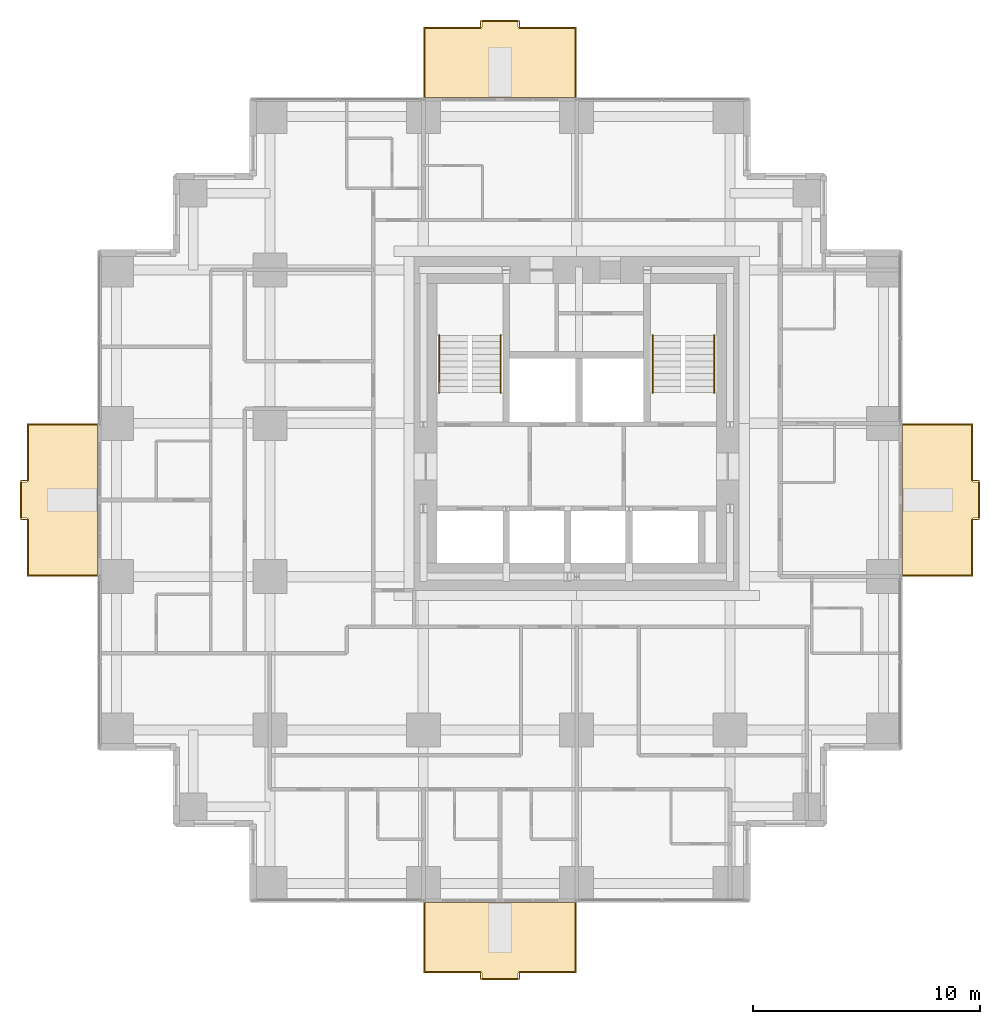
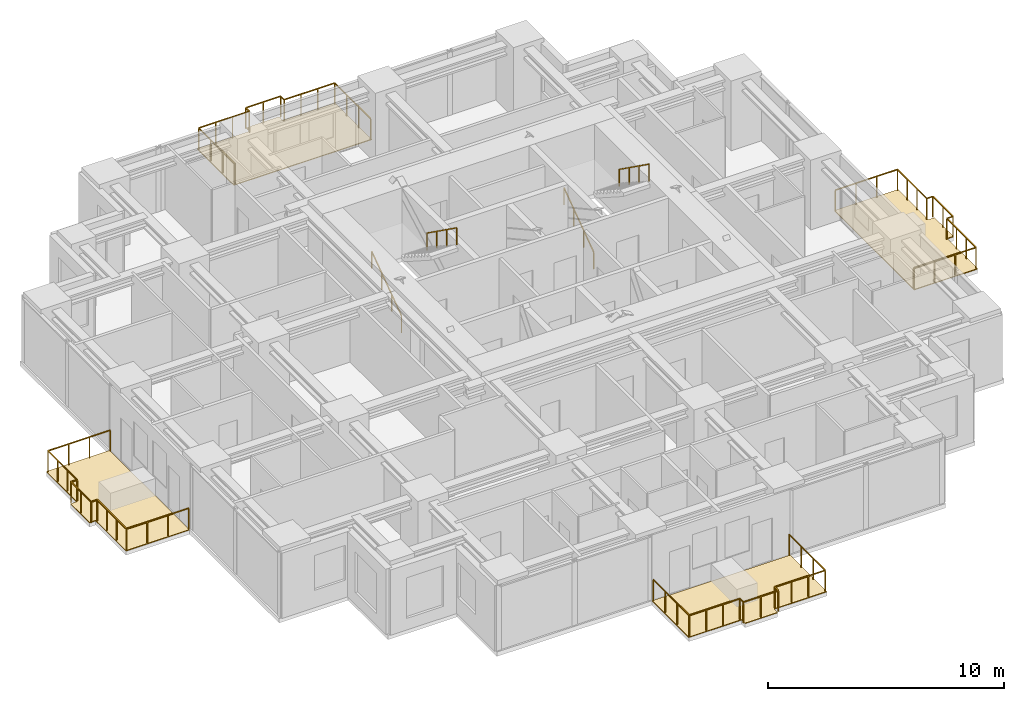
# One storey, part 10 of 10: 8 railings, 4 coverings.
"""IFC4 building model written with IfcOpenShell, lengths in metres."""

from ifc_helpers import new_model, si_unit, direction, frame, origin, origin_2d, place, context, subcontext, project, spatial, polyline, rectangle, outline, extrude, material, layer, layer_set, type_object, element, save


model = new_model("IFC4")

# Units and contexts
model_context = context("Model", 3, precision=1e-05, world=origin(), true_north=direction((0.0, 1.0)))
body_context = subcontext(model_context, "Body", "Model", "MODEL_VIEW")
ifc_project = project(units=[si_unit("LENGTHUNIT", "METRE"), si_unit("AREAUNIT", "SQUARE_METRE"), si_unit("VOLUMEUNIT", "CUBIC_METRE"), si_unit("PLANEANGLEUNIT", "RADIAN"), si_unit("MASSUNIT", "GRAM", prefix="KILO")], contexts=[model_context])

# Site, building, storey
site_placement = place(None, origin())
site = spatial("IfcSite", under=ifc_project, at=site_placement, CompositionType="ELEMENT")
building_placement = place(site_placement, origin())
building = spatial("IfcBuilding", under=site, at=building_placement, Name="Nyansa Garden Tower", CompositionType="ELEMENT")
storey_placement = place(building_placement, frame((0.0, 0.0, 149.39990234375)))
storey = spatial("IfcBuildingStorey", under=building, at=storey_placement, Name="L40", CompositionType="ELEMENT", Elevation=149.39990234375)

# Coverings
ifc_material_1 = material(Name="Hardwood decking on pedestals", Category="wood")
ifc_layer = layer(ifc_material_1, 0.0400390625)
ifc_layer_set = layer_set([ifc_layer], Name="Balcony decking DK40")
covering_type = type_object("IfcCoveringType", Name="Balcony decking DK40", PredefinedType="FLOORING", material=ifc_layer_set)
covering_1_placement = place(storey_placement, frame((0.0, 0.0, -0.039794921875)))
element("IfcCovering", 1, at=covering_1_placement, inside=storey, type_object=covering_type, Name="Balcony decking L40", PredefinedType="FLOORING", context=body_context, shape_type="SweptSolid", body=[
    extrude(outline(polyline([(13.5, -0.85009765625), (20.25, -0.85009765625), (20.25, -3.949951171875), (17.675048828125, -3.949951171875), (17.675048828125, -4.25), (16.074951171875, -4.25), (16.074951171875, -3.949951171875), (13.5, -3.949951171875), (13.5, -0.85009765625)])), origin(), (0.0, 0.0, 1.0), 0.039794921875),
])
covering_2_placement = place(storey_placement, frame((0.0, 0.0, -0.039794921875)))
element("IfcCovering", 2, at=covering_2_placement, inside=storey, type_object=covering_type, Name="Balcony decking L40", PredefinedType="FLOORING", context=body_context, shape_type="SweptSolid", body=[
    extrude(outline(polyline([(34.60009765625, 13.5), (34.60009765625, 20.25), (37.699951171875, 20.25), (37.699951171875, 17.675048828125), (38.0, 17.675048828125), (38.0, 16.074951171875), (37.699951171875, 16.074951171875), (37.699951171875, 13.5), (34.60009765625, 13.5)])), origin(), (0.0, 0.0, 1.0), 0.039794921875),
])
covering_3_placement = place(storey_placement, frame((0.0, 0.0, -0.039794921875)))
element("IfcCovering", 3, at=covering_3_placement, inside=storey, type_object=covering_type, Name="Balcony decking L40", PredefinedType="FLOORING", context=body_context, shape_type="SweptSolid", body=[
    extrude(outline(polyline([(13.5, 34.60009765625), (20.25, 34.60009765625), (20.25, 37.699951171875), (17.675048828125, 37.699951171875), (17.675048828125, 38.0), (16.074951171875, 38.0), (16.074951171875, 37.699951171875), (13.5, 37.699951171875), (13.5, 34.60009765625)])), origin(), (0.0, 0.0, 1.0), 0.039794921875),
])
covering_4_placement = place(storey_placement, frame((0.0, 0.0, -0.039794921875)))
element("IfcCovering", 4, at=covering_4_placement, inside=storey, type_object=covering_type, Name="Balcony decking L40", PredefinedType="FLOORING", context=body_context, shape_type="SweptSolid", body=[
    extrude(outline(polyline([(-0.85009765625, 13.5), (-0.85009765625, 20.25), (-3.949951171875, 20.25), (-3.949951171875, 17.675048828125), (-4.25, 17.675048828125), (-4.25, 16.074951171875), (-3.949951171875, 16.074951171875), (-3.949951171875, 13.5), (-0.85009765625, 13.5)])), origin(), (0.0, 0.0, 1.0), 0.039794921875),
])

# Railings
ifc_material_2 = material(Name="Black powder-coated steel balusters, laminated glass infill", Category="steel")
railing_type_1 = type_object("IfcRailingType", Name="Balcony guard G1", PredefinedType="GUARDRAIL", material=ifc_material_2)
railing_1_placement = place(storey_placement, frame((13.550048828125, -0.85009765625, 0.0)))
element("IfcRailing", 5, at=railing_1_placement, inside=storey, type_object=railing_type_1, Name="Balcony guard L40", PredefinedType="GUARDRAIL", context=body_context, shape_type="SweptSolid", body=[
    extrude(rectangle(XDim=0.048095703125, YDim=0.048095703125, at=origin_2d()), frame((0.0, 0.0, 1.076171875), z_axis=(0.0, -1.0, 0.0), x_axis=(1.0, 0.0, 0.0)), (0.0, 0.0, 1.0), 3.0498046875),
    extrude(rectangle(XDim=0.048095703125, YDim=0.048095703125, at=origin_2d()), frame((0.0, -3.0498046875, 1.076171875), z_axis=(1.0, 0.0, 0.0), x_axis=(0.0, 1.0, 0.0)), (0.0, 0.0, 1.0), 2.474853515625),
    extrude(rectangle(XDim=0.048095703125, YDim=0.048095703125, at=origin_2d()), frame((2.474853515625, -3.0498046875, 1.076171875), z_axis=(0.0, -1.0, 0.0), x_axis=(1.0, 0.0, 0.0)), (0.0, 0.0, 1.0), 0.300048828125),
    extrude(rectangle(XDim=0.048095703125, YDim=0.048095703125, at=origin_2d()), frame((2.474853515625, -3.349853515625, 1.076171875), z_axis=(1.0, 0.0, 0.0), x_axis=(0.0, 1.0, 0.0)), (0.0, 0.0, 1.0), 1.7001953125),
    extrude(rectangle(XDim=0.048095703125, YDim=0.048095703125, at=origin_2d()), frame((4.175048828125, -3.349853515625, 1.076171875), z_axis=(0.0, 1.0, 0.0), x_axis=(-1.0, 0.0, 0.0)), (0.0, 0.0, 1.0), 0.300048828125),
    extrude(rectangle(XDim=0.048095703125, YDim=0.048095703125, at=origin_2d()), frame((4.175048828125, -3.0498046875, 1.076171875), z_axis=(1.0, 0.0, 0.0), x_axis=(0.0, 1.0, 0.0)), (0.0, 0.0, 1.0), 2.474853515625),
    extrude(rectangle(XDim=0.048095703125, YDim=0.048095703125, at=origin_2d()), frame((6.64990234375, -3.0498046875, 1.076171875), z_axis=(0.0, 1.0, 0.0), x_axis=(-1.0, 0.0, 0.0)), (0.0, 0.0, 1.0), 3.0498046875),
    extrude(rectangle(XDim=0.0419921875, YDim=0.0419921875, at=origin_2d()), origin(), (0.0, 0.0, 1.0), 1.052001953125),
    extrude(rectangle(XDim=0.0419921875, YDim=0.0419921875, at=origin_2d()), frame((0.0, -1.0166015625, 0.0)), (0.0, 0.0, 1.0), 1.052001953125),
    extrude(rectangle(XDim=0.0419921875, YDim=0.0419921875, at=origin_2d()), frame((0.0, -2.033203125, 0.0)), (0.0, 0.0, 1.0), 1.052001953125),
    extrude(rectangle(XDim=0.0419921875, YDim=0.0419921875, at=origin_2d()), frame((0.0, -3.0498046875, 0.0)), (0.0, 0.0, 1.0), 1.052001953125),
    extrude(rectangle(XDim=0.0419921875, YDim=0.0419921875, at=origin_2d()), frame((0.824951171875, -3.0498046875, 0.0)), (0.0, 0.0, 1.0), 1.052001953125),
    extrude(rectangle(XDim=0.0419921875, YDim=0.0419921875, at=origin_2d()), frame((1.64990234375, -3.0498046875, 0.0)), (0.0, 0.0, 1.0), 1.052001953125),
    extrude(rectangle(XDim=0.0419921875, YDim=0.0419921875, at=origin_2d()), frame((2.474853515625, -3.0498046875, 0.0)), (0.0, 0.0, 1.0), 1.052001953125),
    extrude(rectangle(XDim=0.0419921875, YDim=0.0419921875, at=origin_2d()), frame((2.474853515625, -3.349853515625, 0.0)), (0.0, 0.0, 1.0), 1.052001953125),
    extrude(rectangle(XDim=0.0419921875, YDim=0.0419921875, at=origin_2d()), frame((3.324951171875, -3.349853515625, 0.0)), (0.0, 0.0, 1.0), 1.052001953125),
    extrude(rectangle(XDim=0.0419921875, YDim=0.0419921875, at=origin_2d()), frame((4.175048828125, -3.349853515625, 0.0)), (0.0, 0.0, 1.0), 1.052001953125),
    extrude(rectangle(XDim=0.0419921875, YDim=0.0419921875, at=origin_2d()), frame((4.175048828125, -3.0498046875, 0.0)), (0.0, 0.0, 1.0), 1.052001953125),
    extrude(rectangle(XDim=0.0419921875, YDim=0.0419921875, at=origin_2d()), frame((5.0, -3.0498046875, 0.0)), (0.0, 0.0, 1.0), 1.052001953125),
    extrude(rectangle(XDim=0.0419921875, YDim=0.0419921875, at=origin_2d()), frame((5.824951171875, -3.0498046875, 0.0)), (0.0, 0.0, 1.0), 1.052001953125),
    extrude(rectangle(XDim=0.0419921875, YDim=0.0419921875, at=origin_2d()), frame((6.64990234375, -3.0498046875, 0.0)), (0.0, 0.0, 1.0), 1.052001953125),
    extrude(rectangle(XDim=0.0419921875, YDim=0.0419921875, at=origin_2d()), frame((6.64990234375, -2.033203125, 0.0)), (0.0, 0.0, 1.0), 1.052001953125),
    extrude(rectangle(XDim=0.0419921875, YDim=0.0419921875, at=origin_2d()), frame((6.64990234375, -1.0166015625, 0.0)), (0.0, 0.0, 1.0), 1.052001953125),
    extrude(rectangle(XDim=0.0419921875, YDim=0.0419921875, at=origin_2d()), frame((6.64990234375, 0.0, 0.0)), (0.0, 0.0, 1.0), 1.052001953125),
])
railing_2_placement = place(storey_placement, frame((34.60009765625, 13.550048828125, 0.0)))
element("IfcRailing", 6, at=railing_2_placement, inside=storey, type_object=railing_type_1, Name="Balcony guard L40", PredefinedType="GUARDRAIL", context=body_context, shape_type="SweptSolid", body=[
    extrude(rectangle(XDim=0.048095703125, YDim=0.048095703125, at=origin_2d()), frame((0.0, 0.0, 1.076171875), z_axis=(1.0, 0.0, 0.0), x_axis=(0.0, 1.0, 0.0)), (0.0, 0.0, 1.0), 3.0498046875),
    extrude(rectangle(XDim=0.048095703125, YDim=0.048095703125, at=origin_2d()), frame((3.0498046875, 0.0, 1.076171875), z_axis=(0.0, 1.0, 0.0), x_axis=(-1.0, 0.0, 0.0)), (0.0, 0.0, 1.0), 2.474853515625),
    extrude(rectangle(XDim=0.048095703125, YDim=0.048095703125, at=origin_2d()), frame((3.0498046875, 2.474853515625, 1.076171875), z_axis=(1.0, 0.0, 0.0), x_axis=(0.0, 1.0, 0.0)), (0.0, 0.0, 1.0), 0.300048828125),
    extrude(rectangle(XDim=0.048095703125, YDim=0.048095703125, at=origin_2d()), frame((3.349853515625, 2.474853515625, 1.076171875), z_axis=(0.0, 1.0, 0.0), x_axis=(-1.0, 0.0, 0.0)), (0.0, 0.0, 1.0), 1.7001953125),
    extrude(rectangle(XDim=0.048095703125, YDim=0.048095703125, at=origin_2d()), frame((3.349853515625, 4.175048828125, 1.076171875), z_axis=(-1.0, 0.0, 0.0), x_axis=(0.0, -1.0, 0.0)), (0.0, 0.0, 1.0), 0.300048828125),
    extrude(rectangle(XDim=0.048095703125, YDim=0.048095703125, at=origin_2d()), frame((3.0498046875, 4.175048828125, 1.076171875), z_axis=(0.0, 1.0, 0.0), x_axis=(-1.0, 0.0, 0.0)), (0.0, 0.0, 1.0), 2.474853515625),
    extrude(rectangle(XDim=0.048095703125, YDim=0.048095703125, at=origin_2d()), frame((3.0498046875, 6.64990234375, 1.076171875), z_axis=(-1.0, 0.0, 0.0), x_axis=(0.0, -1.0, 0.0)), (0.0, 0.0, 1.0), 3.0498046875),
    extrude(rectangle(XDim=0.0419921875, YDim=0.0419921875, at=origin_2d()), origin(), (0.0, 0.0, 1.0), 1.052001953125),
    extrude(rectangle(XDim=0.0419921875, YDim=0.0419921875, at=origin_2d()), frame((1.0166015625, 0.0, 0.0)), (0.0, 0.0, 1.0), 1.052001953125),
    extrude(rectangle(XDim=0.0419921875, YDim=0.0419921875, at=origin_2d()), frame((2.033203125, 0.0, 0.0)), (0.0, 0.0, 1.0), 1.052001953125),
    extrude(rectangle(XDim=0.0419921875, YDim=0.0419921875, at=origin_2d()), frame((3.0498046875, 0.0, 0.0)), (0.0, 0.0, 1.0), 1.052001953125),
    extrude(rectangle(XDim=0.0419921875, YDim=0.0419921875, at=origin_2d()), frame((3.0498046875, 0.824951171875, 0.0)), (0.0, 0.0, 1.0), 1.052001953125),
    extrude(rectangle(XDim=0.0419921875, YDim=0.0419921875, at=origin_2d()), frame((3.0498046875, 1.64990234375, 0.0)), (0.0, 0.0, 1.0), 1.052001953125),
    extrude(rectangle(XDim=0.0419921875, YDim=0.0419921875, at=origin_2d()), frame((3.0498046875, 2.474853515625, 0.0)), (0.0, 0.0, 1.0), 1.052001953125),
    extrude(rectangle(XDim=0.0419921875, YDim=0.0419921875, at=origin_2d()), frame((3.349853515625, 2.474853515625, 0.0)), (0.0, 0.0, 1.0), 1.052001953125),
    extrude(rectangle(XDim=0.0419921875, YDim=0.0419921875, at=origin_2d()), frame((3.349853515625, 3.324951171875, 0.0)), (0.0, 0.0, 1.0), 1.052001953125),
    extrude(rectangle(XDim=0.0419921875, YDim=0.0419921875, at=origin_2d()), frame((3.349853515625, 4.175048828125, 0.0)), (0.0, 0.0, 1.0), 1.052001953125),
    extrude(rectangle(XDim=0.0419921875, YDim=0.0419921875, at=origin_2d()), frame((3.0498046875, 4.175048828125, 0.0)), (0.0, 0.0, 1.0), 1.052001953125),
    extrude(rectangle(XDim=0.0419921875, YDim=0.0419921875, at=origin_2d()), frame((3.0498046875, 5.0, 0.0)), (0.0, 0.0, 1.0), 1.052001953125),
    extrude(rectangle(XDim=0.0419921875, YDim=0.0419921875, at=origin_2d()), frame((3.0498046875, 5.824951171875, 0.0)), (0.0, 0.0, 1.0), 1.052001953125),
    extrude(rectangle(XDim=0.0419921875, YDim=0.0419921875, at=origin_2d()), frame((3.0498046875, 6.64990234375, 0.0)), (0.0, 0.0, 1.0), 1.052001953125),
    extrude(rectangle(XDim=0.0419921875, YDim=0.0419921875, at=origin_2d()), frame((2.033203125, 6.64990234375, 0.0)), (0.0, 0.0, 1.0), 1.052001953125),
    extrude(rectangle(XDim=0.0419921875, YDim=0.0419921875, at=origin_2d()), frame((1.0166015625, 6.64990234375, 0.0)), (0.0, 0.0, 1.0), 1.052001953125),
    extrude(rectangle(XDim=0.0419921875, YDim=0.0419921875, at=origin_2d()), frame((0.0, 6.64990234375, 0.0)), (0.0, 0.0, 1.0), 1.052001953125),
])
railing_3_placement = place(storey_placement, frame((13.550048828125, 34.60009765625, 0.0)))
element("IfcRailing", 7, at=railing_3_placement, inside=storey, type_object=railing_type_1, Name="Balcony guard L40", PredefinedType="GUARDRAIL", context=body_context, shape_type="SweptSolid", body=[
    extrude(rectangle(XDim=0.048095703125, YDim=0.048095703125, at=origin_2d()), frame((0.0, 0.0, 1.076171875), z_axis=(0.0, 1.0, 0.0), x_axis=(-1.0, 0.0, 0.0)), (0.0, 0.0, 1.0), 3.0498046875),
    extrude(rectangle(XDim=0.048095703125, YDim=0.048095703125, at=origin_2d()), frame((0.0, 3.0498046875, 1.076171875), z_axis=(1.0, 0.0, 0.0), x_axis=(0.0, 1.0, 0.0)), (0.0, 0.0, 1.0), 2.474853515625),
    extrude(rectangle(XDim=0.048095703125, YDim=0.048095703125, at=origin_2d()), frame((2.474853515625, 3.0498046875, 1.076171875), z_axis=(0.0, 1.0, 0.0), x_axis=(-1.0, 0.0, 0.0)), (0.0, 0.0, 1.0), 0.300048828125),
    extrude(rectangle(XDim=0.048095703125, YDim=0.048095703125, at=origin_2d()), frame((2.474853515625, 3.349853515625, 1.076171875), z_axis=(1.0, 0.0, 0.0), x_axis=(0.0, 1.0, 0.0)), (0.0, 0.0, 1.0), 1.7001953125),
    extrude(rectangle(XDim=0.048095703125, YDim=0.048095703125, at=origin_2d()), frame((4.175048828125, 3.349853515625, 1.076171875), z_axis=(0.0, -1.0, 0.0), x_axis=(1.0, 0.0, 0.0)), (0.0, 0.0, 1.0), 0.300048828125),
    extrude(rectangle(XDim=0.048095703125, YDim=0.048095703125, at=origin_2d()), frame((4.175048828125, 3.0498046875, 1.076171875), z_axis=(1.0, 0.0, 0.0), x_axis=(0.0, 1.0, 0.0)), (0.0, 0.0, 1.0), 2.474853515625),
    extrude(rectangle(XDim=0.048095703125, YDim=0.048095703125, at=origin_2d()), frame((6.64990234375, 3.0498046875, 1.076171875), z_axis=(0.0, -1.0, 0.0), x_axis=(1.0, 0.0, 0.0)), (0.0, 0.0, 1.0), 3.0498046875),
    extrude(rectangle(XDim=0.0419921875, YDim=0.0419921875, at=origin_2d()), origin(), (0.0, 0.0, 1.0), 1.052001953125),
    extrude(rectangle(XDim=0.0419921875, YDim=0.0419921875, at=origin_2d()), frame((0.0, 1.0166015625, 0.0)), (0.0, 0.0, 1.0), 1.052001953125),
    extrude(rectangle(XDim=0.0419921875, YDim=0.0419921875, at=origin_2d()), frame((0.0, 2.033203125, 0.0)), (0.0, 0.0, 1.0), 1.052001953125),
    extrude(rectangle(XDim=0.0419921875, YDim=0.0419921875, at=origin_2d()), frame((0.0, 3.0498046875, 0.0)), (0.0, 0.0, 1.0), 1.052001953125),
    extrude(rectangle(XDim=0.0419921875, YDim=0.0419921875, at=origin_2d()), frame((0.824951171875, 3.0498046875, 0.0)), (0.0, 0.0, 1.0), 1.052001953125),
    extrude(rectangle(XDim=0.0419921875, YDim=0.0419921875, at=origin_2d()), frame((1.64990234375, 3.0498046875, 0.0)), (0.0, 0.0, 1.0), 1.052001953125),
    extrude(rectangle(XDim=0.0419921875, YDim=0.0419921875, at=origin_2d()), frame((2.474853515625, 3.0498046875, 0.0)), (0.0, 0.0, 1.0), 1.052001953125),
    extrude(rectangle(XDim=0.0419921875, YDim=0.0419921875, at=origin_2d()), frame((2.474853515625, 3.349853515625, 0.0)), (0.0, 0.0, 1.0), 1.052001953125),
    extrude(rectangle(XDim=0.0419921875, YDim=0.0419921875, at=origin_2d()), frame((3.324951171875, 3.349853515625, 0.0)), (0.0, 0.0, 1.0), 1.052001953125),
    extrude(rectangle(XDim=0.0419921875, YDim=0.0419921875, at=origin_2d()), frame((4.175048828125, 3.349853515625, 0.0)), (0.0, 0.0, 1.0), 1.052001953125),
    extrude(rectangle(XDim=0.0419921875, YDim=0.0419921875, at=origin_2d()), frame((4.175048828125, 3.0498046875, 0.0)), (0.0, 0.0, 1.0), 1.052001953125),
    extrude(rectangle(XDim=0.0419921875, YDim=0.0419921875, at=origin_2d()), frame((5.0, 3.0498046875, 0.0)), (0.0, 0.0, 1.0), 1.052001953125),
    extrude(rectangle(XDim=0.0419921875, YDim=0.0419921875, at=origin_2d()), frame((5.824951171875, 3.0498046875, 0.0)), (0.0, 0.0, 1.0), 1.052001953125),
    extrude(rectangle(XDim=0.0419921875, YDim=0.0419921875, at=origin_2d()), frame((6.64990234375, 3.0498046875, 0.0)), (0.0, 0.0, 1.0), 1.052001953125),
    extrude(rectangle(XDim=0.0419921875, YDim=0.0419921875, at=origin_2d()), frame((6.64990234375, 2.033203125, 0.0)), (0.0, 0.0, 1.0), 1.052001953125),
    extrude(rectangle(XDim=0.0419921875, YDim=0.0419921875, at=origin_2d()), frame((6.64990234375, 1.0166015625, 0.0)), (0.0, 0.0, 1.0), 1.052001953125),
    extrude(rectangle(XDim=0.0419921875, YDim=0.0419921875, at=origin_2d()), frame((6.64990234375, 0.0, 0.0)), (0.0, 0.0, 1.0), 1.052001953125),
])
railing_4_placement = place(storey_placement, frame((-0.85009765625, 13.550048828125, 0.0)))
element("IfcRailing", 8, at=railing_4_placement, inside=storey, type_object=railing_type_1, Name="Balcony guard L40", PredefinedType="GUARDRAIL", context=body_context, shape_type="SweptSolid", body=[
    extrude(rectangle(XDim=0.048095703125, YDim=0.048095703125, at=origin_2d()), frame((0.0, 0.0, 1.076171875), z_axis=(-1.0, 0.0, 0.0), x_axis=(0.0, -1.0, 0.0)), (0.0, 0.0, 1.0), 3.0498046875),
    extrude(rectangle(XDim=0.048095703125, YDim=0.048095703125, at=origin_2d()), frame((-3.0498046875, 0.0, 1.076171875), z_axis=(0.0, 1.0, 0.0), x_axis=(-1.0, 0.0, 0.0)), (0.0, 0.0, 1.0), 2.474853515625),
    extrude(rectangle(XDim=0.048095703125, YDim=0.048095703125, at=origin_2d()), frame((-3.0498046875, 2.474853515625, 1.076171875), z_axis=(-1.0, 0.0, 0.0), x_axis=(0.0, -1.0, 0.0)), (0.0, 0.0, 1.0), 0.300048828125),
    extrude(rectangle(XDim=0.048095703125, YDim=0.048095703125, at=origin_2d()), frame((-3.349853515625, 2.474853515625, 1.076171875), z_axis=(0.0, 1.0, 0.0), x_axis=(-1.0, 0.0, 0.0)), (0.0, 0.0, 1.0), 1.7001953125),
    extrude(rectangle(XDim=0.048095703125, YDim=0.048095703125, at=origin_2d()), frame((-3.349853515625, 4.175048828125, 1.076171875), z_axis=(1.0, 0.0, 0.0), x_axis=(0.0, 1.0, 0.0)), (0.0, 0.0, 1.0), 0.300048828125),
    extrude(rectangle(XDim=0.048095703125, YDim=0.048095703125, at=origin_2d()), frame((-3.0498046875, 4.175048828125, 1.076171875), z_axis=(0.0, 1.0, 0.0), x_axis=(-1.0, 0.0, 0.0)), (0.0, 0.0, 1.0), 2.474853515625),
    extrude(rectangle(XDim=0.048095703125, YDim=0.048095703125, at=origin_2d()), frame((-3.0498046875, 6.64990234375, 1.076171875), z_axis=(1.0, 0.0, 0.0), x_axis=(0.0, 1.0, 0.0)), (0.0, 0.0, 1.0), 3.0498046875),
    extrude(rectangle(XDim=0.0419921875, YDim=0.0419921875, at=origin_2d()), origin(), (0.0, 0.0, 1.0), 1.052001953125),
    extrude(rectangle(XDim=0.0419921875, YDim=0.0419921875, at=origin_2d()), frame((-1.0166015625, 0.0, 0.0)), (0.0, 0.0, 1.0), 1.052001953125),
    extrude(rectangle(XDim=0.0419921875, YDim=0.0419921875, at=origin_2d()), frame((-2.033203125, 0.0, 0.0)), (0.0, 0.0, 1.0), 1.052001953125),
    extrude(rectangle(XDim=0.0419921875, YDim=0.0419921875, at=origin_2d()), frame((-3.0498046875, 0.0, 0.0)), (0.0, 0.0, 1.0), 1.052001953125),
    extrude(rectangle(XDim=0.0419921875, YDim=0.0419921875, at=origin_2d()), frame((-3.0498046875, 0.824951171875, 0.0)), (0.0, 0.0, 1.0), 1.052001953125),
    extrude(rectangle(XDim=0.0419921875, YDim=0.0419921875, at=origin_2d()), frame((-3.0498046875, 1.64990234375, 0.0)), (0.0, 0.0, 1.0), 1.052001953125),
    extrude(rectangle(XDim=0.0419921875, YDim=0.0419921875, at=origin_2d()), frame((-3.0498046875, 2.474853515625, 0.0)), (0.0, 0.0, 1.0), 1.052001953125),
    extrude(rectangle(XDim=0.0419921875, YDim=0.0419921875, at=origin_2d()), frame((-3.349853515625, 2.474853515625, 0.0)), (0.0, 0.0, 1.0), 1.052001953125),
    extrude(rectangle(XDim=0.0419921875, YDim=0.0419921875, at=origin_2d()), frame((-3.349853515625, 3.324951171875, 0.0)), (0.0, 0.0, 1.0), 1.052001953125),
    extrude(rectangle(XDim=0.0419921875, YDim=0.0419921875, at=origin_2d()), frame((-3.349853515625, 4.175048828125, 0.0)), (0.0, 0.0, 1.0), 1.052001953125),
    extrude(rectangle(XDim=0.0419921875, YDim=0.0419921875, at=origin_2d()), frame((-3.0498046875, 4.175048828125, 0.0)), (0.0, 0.0, 1.0), 1.052001953125),
    extrude(rectangle(XDim=0.0419921875, YDim=0.0419921875, at=origin_2d()), frame((-3.0498046875, 5.0, 0.0)), (0.0, 0.0, 1.0), 1.052001953125),
    extrude(rectangle(XDim=0.0419921875, YDim=0.0419921875, at=origin_2d()), frame((-3.0498046875, 5.824951171875, 0.0)), (0.0, 0.0, 1.0), 1.052001953125),
    extrude(rectangle(XDim=0.0419921875, YDim=0.0419921875, at=origin_2d()), frame((-3.0498046875, 6.64990234375, 0.0)), (0.0, 0.0, 1.0), 1.052001953125),
    extrude(rectangle(XDim=0.0419921875, YDim=0.0419921875, at=origin_2d()), frame((-2.033203125, 6.64990234375, 0.0)), (0.0, 0.0, 1.0), 1.052001953125),
    extrude(rectangle(XDim=0.0419921875, YDim=0.0419921875, at=origin_2d()), frame((-1.0166015625, 6.64990234375, 0.0)), (0.0, 0.0, 1.0), 1.052001953125),
    extrude(rectangle(XDim=0.0419921875, YDim=0.0419921875, at=origin_2d()), frame((0.0, 6.64990234375, 0.0)), (0.0, 0.0, 1.0), 1.052001953125),
])
ifc_material_3 = material(Name="Black powder-coated steel tube 48 mm", Category="steel")
railing_type_2 = type_object("IfcRailingType", Name="Stair handrail HR1", PredefinedType="HANDRAIL", material=ifc_material_3)
railing_5_placement = place(storey_placement, frame((14.199951171875, 21.60009765625, 0.0)))
element("IfcRailing", 9, at=railing_5_placement, inside=storey, type_object=railing_type_2, Name="Stair S1 handrail L40", PredefinedType="HANDRAIL", context=body_context, shape_type="SweptSolid", body=[
    extrude(rectangle(XDim=0.048095703125, YDim=0.048095703125, at=origin_2d()), frame((0.0, 0.0, 0.8759765625), z_axis=(0.0, 0.813728144527, 0.581245650998), x_axis=(-1.0, 0.0, 0.0)), (0.0, 0.0, 1.0), 3.096923828125),
    extrude(rectangle(XDim=0.0419921875, YDim=0.0419921875, at=origin_2d()), origin(), (0.0, 0.0, 1.0), 0.851806640625),
    extrude(rectangle(XDim=0.0419921875, YDim=0.0419921875, at=origin_2d()), frame((0.0, 0.840087890625, 0.60009765625)), (0.0, 0.0, 1.0), 0.851806640625),
    extrude(rectangle(XDim=0.0419921875, YDim=0.0419921875, at=origin_2d()), frame((0.0, 1.679931640625, 1.199951171875)), (0.0, 0.0, 1.0), 0.851806640625),
    extrude(rectangle(XDim=0.0419921875, YDim=0.0419921875, at=origin_2d()), frame((0.0, 2.52001953125, 1.800048828125)), (0.0, 0.0, 1.0), 0.851806640625),
])
railing_6_placement = place(storey_placement, frame((16.89990234375, 24.1201171875, 1.800048828125)))
element("IfcRailing", 10, at=railing_6_placement, inside=storey, type_object=railing_type_2, Name="Stair S1 handrail L40", PredefinedType="HANDRAIL", context=body_context, shape_type="SweptSolid", body=[
    extrude(rectangle(XDim=0.048095703125, YDim=0.048095703125, at=origin_2d()), frame((0.0, 0.0, 0.8759765625), z_axis=(0.0, -0.813728144527, 0.581245650998), x_axis=(1.0, 0.0, 0.0)), (0.0, 0.0, 1.0), 3.096923828125),
    extrude(rectangle(XDim=0.0419921875, YDim=0.0419921875, at=origin_2d()), origin(), (0.0, 0.0, 1.0), 0.851806640625),
    extrude(rectangle(XDim=0.0419921875, YDim=0.0419921875, at=origin_2d()), frame((0.0, -0.840087890625, 0.60009765625)), (0.0, 0.0, 1.0), 0.851806640625),
    extrude(rectangle(XDim=0.0419921875, YDim=0.0419921875, at=origin_2d()), frame((0.0, -1.679931640625, 1.199951171875)), (0.0, 0.0, 1.0), 0.851806640625),
    extrude(rectangle(XDim=0.0419921875, YDim=0.0419921875, at=origin_2d()), frame((0.0, -2.52001953125, 1.800048828125)), (0.0, 0.0, 1.0), 0.851806640625),
])
railing_7_placement = place(storey_placement, frame((23.60009765625, 21.60009765625, 0.0)))
element("IfcRailing", 11, at=railing_7_placement, inside=storey, type_object=railing_type_2, Name="Stair S2 handrail L40", PredefinedType="HANDRAIL", context=body_context, shape_type="SweptSolid", body=[
    extrude(rectangle(XDim=0.048095703125, YDim=0.048095703125, at=origin_2d()), frame((0.0, 0.0, 0.8759765625), z_axis=(0.0, 0.813728144527, 0.581245650998), x_axis=(-1.0, 0.0, 0.0)), (0.0, 0.0, 1.0), 3.096923828125),
    extrude(rectangle(XDim=0.0419921875, YDim=0.0419921875, at=origin_2d()), origin(), (0.0, 0.0, 1.0), 0.851806640625),
    extrude(rectangle(XDim=0.0419921875, YDim=0.0419921875, at=origin_2d()), frame((0.0, 0.840087890625, 0.60009765625)), (0.0, 0.0, 1.0), 0.851806640625),
    extrude(rectangle(XDim=0.0419921875, YDim=0.0419921875, at=origin_2d()), frame((0.0, 1.679931640625, 1.199951171875)), (0.0, 0.0, 1.0), 0.851806640625),
    extrude(rectangle(XDim=0.0419921875, YDim=0.0419921875, at=origin_2d()), frame((0.0, 2.52001953125, 1.800048828125)), (0.0, 0.0, 1.0), 0.851806640625),
])
railing_8_placement = place(storey_placement, frame((26.300048828125, 24.1201171875, 1.800048828125)))
element("IfcRailing", 12, at=railing_8_placement, inside=storey, type_object=railing_type_2, Name="Stair S2 handrail L40", PredefinedType="HANDRAIL", context=body_context, shape_type="SweptSolid", body=[
    extrude(rectangle(XDim=0.048095703125, YDim=0.048095703125, at=origin_2d()), frame((0.0, 0.0, 0.8759765625), z_axis=(0.0, -0.813728144527, 0.581245650998), x_axis=(1.0, 0.0, 0.0)), (0.0, 0.0, 1.0), 3.096923828125),
    extrude(rectangle(XDim=0.0419921875, YDim=0.0419921875, at=origin_2d()), origin(), (0.0, 0.0, 1.0), 0.851806640625),
    extrude(rectangle(XDim=0.0419921875, YDim=0.0419921875, at=origin_2d()), frame((0.0, -0.840087890625, 0.60009765625)), (0.0, 0.0, 1.0), 0.851806640625),
    extrude(rectangle(XDim=0.0419921875, YDim=0.0419921875, at=origin_2d()), frame((0.0, -1.679931640625, 1.199951171875)), (0.0, 0.0, 1.0), 0.851806640625),
    extrude(rectangle(XDim=0.0419921875, YDim=0.0419921875, at=origin_2d()), frame((0.0, -2.52001953125, 1.800048828125)), (0.0, 0.0, 1.0), 0.851806640625),
])

save(model, "model.ifc")
